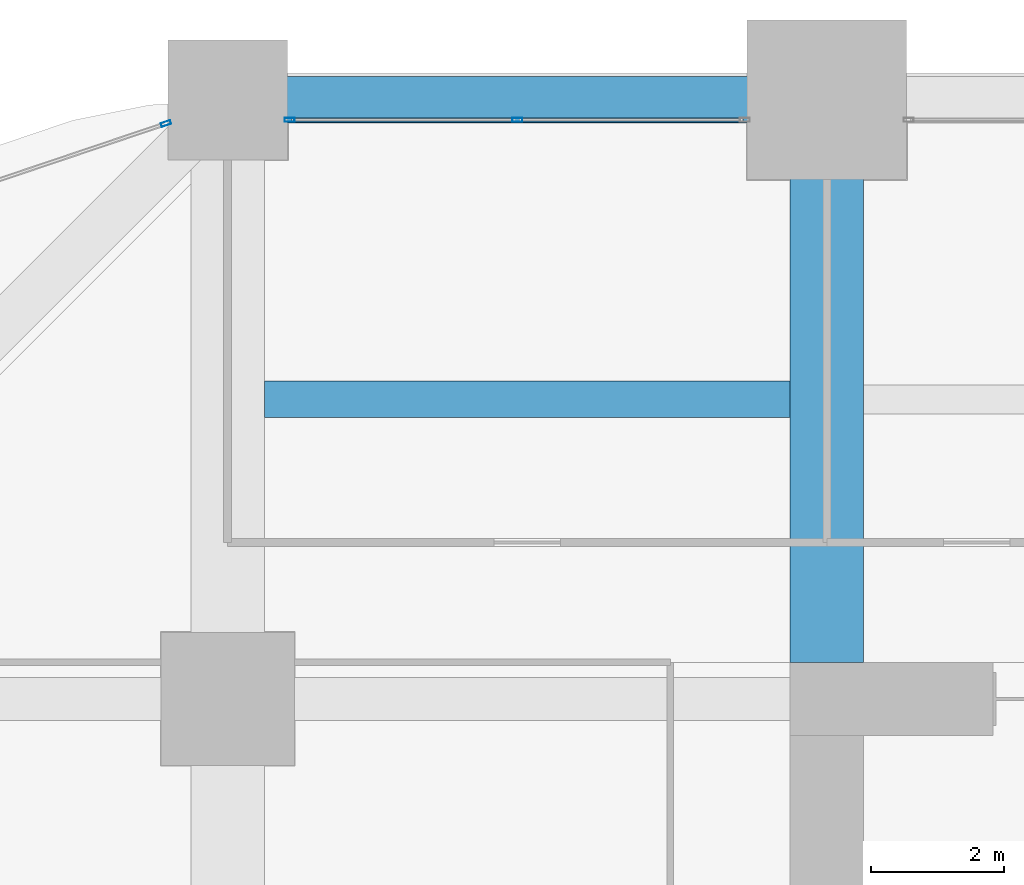
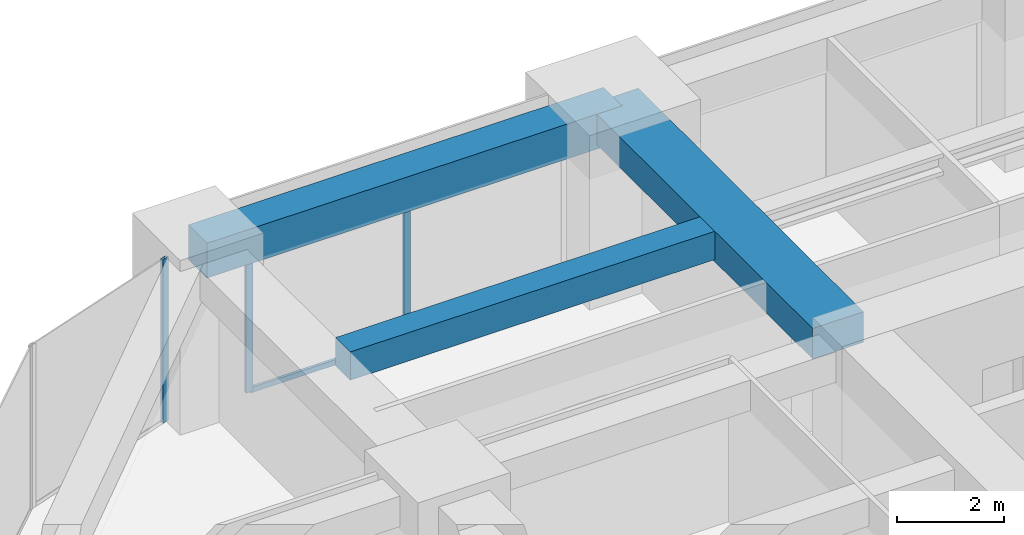
# One storey, part 27 of 41: 4 members, 3 beams, 2 elements without a shape of their own.
"""IFC4 building model written with IfcOpenShell, lengths in metres."""

from ifc_helpers import new_model, si_unit, direction, frame, origin, origin_2d, place, context, subcontext, project, spatial, rectangle, hollow_rectangle, extrude, material, material_profile, profile_set, type_object, element, aggregate, save


model = new_model("IFC4")

# Units and contexts
model_context = context("Model", 3, precision=1e-05, world=origin(), true_north=direction((0.0, 1.0)))
body_context = subcontext(model_context, "Body", "Model", "MODEL_VIEW")
ifc_project = project(units=[si_unit("LENGTHUNIT", "METRE"), si_unit("AREAUNIT", "SQUARE_METRE"), si_unit("VOLUMEUNIT", "CUBIC_METRE"), si_unit("PLANEANGLEUNIT", "RADIAN"), si_unit("MASSUNIT", "GRAM", prefix="KILO")], contexts=[model_context])

# Site, building, storey
site_placement = place(None, origin())
site = spatial("IfcSite", under=ifc_project, at=site_placement, CompositionType="ELEMENT")
building_placement = place(site_placement, origin())
building = spatial("IfcBuilding", under=site, at=building_placement, Name="Zorevar Civic Tower", CompositionType="ELEMENT")
storey_placement = place(building_placement, frame((0.0, 0.0, 101.0)))
storey = spatial("IfcBuildingStorey", under=building, at=storey_placement, Name="L24", CompositionType="ELEMENT", Elevation=101.0)

# Beams
ifc_material_1 = material(Name="Concrete C50/60", Category="concrete")
ifc_material_profile_1 = material_profile(ifc_material_1, rectangle(XDim=1.10009765625, YDim=0.699951171875, at=origin_2d()), Name="RC 1100x700")
ifc_profile_set_1 = profile_set([ifc_material_profile_1], Name="Concrete C50/60")
beam_type_1 = type_object("IfcBeamType", Name="Beam RC 1100x700", PredefinedType="BEAM", material=ifc_profile_set_1)
beam_1_placement = place(storey_placement, frame((18.0, 36.550048828125, 3.39990234375), z_axis=(0.0, 1.0, 0.0), x_axis=(-1.0, 0.0, 0.0)))
element("IfcBeam", 1, at=beam_1_placement, inside=storey, type_object=beam_type_1, Name="Girder L25", PredefinedType="BEAM", context=body_context, shape_type="SweptSolid", body=[
    extrude(rectangle(XDim=1.10009765625, YDim=0.699951171875, at=origin_2d()), origin(), (0.0, 0.0, 1.0), 8.449951171875),
])
ifc_material_2 = material(Name="Concrete C50/60", Category="concrete")
ifc_material_profile_2 = material_profile(ifc_material_2, rectangle(XDim=0.550048828125, YDim=0.64990234375, at=origin_2d()), Name="RC 550x650")
ifc_profile_set_2 = profile_set([ifc_material_profile_2], Name="Concrete C50/60")
beam_type_2 = type_object("IfcBeamType", Name="Beam RC 550x650", PredefinedType="BEAM", material=ifc_profile_set_2)
beam_2_placement = place(storey_placement, frame((9.550048828125, 40.5, 3.425048828125), z_axis=(1.0, 0.0, 0.0), x_axis=(0.0, 1.0, 0.0)))
element("IfcBeam", 2, at=beam_2_placement, inside=storey, type_object=beam_type_2, Name="Secondary beam L25", PredefinedType="BEAM", context=body_context, shape_type="SweptSolid", body=[
    extrude(rectangle(XDim=0.550048828125, YDim=0.64990234375, at=origin_2d()), origin(), (0.0, 0.0, 1.0), 7.89990234375),
])

# Curtain wall, members
ifc_material_3 = material(Name="Dark grey solar-control glass in black aluminium frame", Category="aluminium")
curtain_wall_type = type_object("IfcCurtainWallType", Name="Curtain wall CW3 mid zone", PredefinedType="NOTDEFINED", material=ifc_material_3)
curtain_wall_1_placement = place(storey_placement, origin())
curtain_wall_1 = element("IfcCurtainWall", 3, at=curtain_wall_1_placement, inside=storey, type_object=curtain_wall_type, Name="CW3 L24", PredefinedType="NOTDEFINED")
ifc_material_4 = material(Name="Aluminium, black anodised", Category="aluminium")
ifc_material_profile_3 = material_profile(ifc_material_4, hollow_rectangle(XDim=0.06005859375, YDim=0.14990234375, WallThickness=0.00390625, at=origin_2d()), Name="AL 150x60x4")
ifc_profile_set_3 = profile_set([ifc_material_profile_3], Name="Aluminium, black anodised")
member_type_1 = type_object("IfcMemberType", Name="CW3 mullion AL 150x60x4", PredefinedType="MULLION", material=ifc_profile_set_3)
member_1_placement = place(storey_placement, frame((9.929931640625, 44.699951171875, 0.0), z_axis=(0.0, 0.0, 1.0), x_axis=(0.0, 1.0, 0.0)))
member_1 = element("IfcMember", 4, at=member_1_placement, type_object=member_type_1, Name="CW3 mullion 1", PredefinedType="MULLION", context=body_context, shape_type="SweptSolid", body=[
    extrude(hollow_rectangle(XDim=0.06005859375, YDim=0.14990234375, WallThickness=0.00390625, at=origin_2d()), origin(), (0.0, 0.0, 1.0), 2.949951171875),
])
member_2_placement = place(storey_placement, frame((13.35009765625, 44.699951171875, 0.06005859375), z_axis=(0.0, 0.0, 1.0), x_axis=(0.0, 1.0, 0.0)))
member_2 = element("IfcMember", 5, at=member_2_placement, type_object=member_type_1, Name="CW3 mullion 2", PredefinedType="MULLION", context=body_context, shape_type="SweptSolid", body=[
    extrude(hollow_rectangle(XDim=0.06005859375, YDim=0.14990234375, WallThickness=0.00390625, at=origin_2d()), origin(), (0.0, 0.0, 1.0), 2.889892578125),
])

# Curtain wall, member
curtain_wall_2_placement = place(storey_placement, origin())
curtain_wall_2 = element("IfcCurtainWall", 6, at=curtain_wall_2_placement, inside=storey, type_object=curtain_wall_type, Name="CW3 L24", PredefinedType="NOTDEFINED")
member_3_placement = place(storey_placement, frame((8.071533203125, 44.643798828125, 0.0), z_axis=(0.0, 0.0, 1.0), x_axis=(0.319412525043, -0.947615765406, 0.0)))
member_3 = element("IfcMember", 7, at=member_3_placement, type_object=member_type_1, Name="CW3 mullion 1", PredefinedType="MULLION", context=body_context, shape_type="SweptSolid", body=[
    extrude(hollow_rectangle(XDim=0.06005859375, YDim=0.14990234375, WallThickness=0.00390625, at=origin_2d()), origin(), (0.0, 0.0, 1.0), 3.75),
])
aggregate(curtain_wall_2, [member_3])

# Member
ifc_material_5 = material(Name="Aluminium, black anodised", Category="aluminium")
ifc_material_profile_4 = material_profile(ifc_material_5, hollow_rectangle(XDim=0.06005859375, YDim=0.1201171875, WallThickness=0.0029296875, at=origin_2d()), Name="AL 120x60x3")
ifc_profile_set_4 = profile_set([ifc_material_profile_4], Name="Aluminium, black anodised")
member_type_2 = type_object("IfcMemberType", Name="CW3 transom AL 120x60x3", PredefinedType="USERDEFINED", material=ifc_profile_set_4)
member_4_placement = place(storey_placement, frame((9.9599609375, 44.699951171875, 0.030029296875), z_axis=(1.0, 0.0, 0.0), x_axis=(0.0, 1.0, 0.0)))
member_4 = element("IfcMember", 8, at=member_4_placement, type_object=member_type_2, Name="CW3 sill transom", ObjectType="TRANSOM", PredefinedType="USERDEFINED", context=body_context, shape_type="SweptSolid", body=[
    extrude(hollow_rectangle(XDim=0.06005859375, YDim=0.1201171875, WallThickness=0.0029296875, at=origin_2d()), origin(), (0.0, 0.0, 1.0), 6.780029296875),
])

aggregate(curtain_wall_1, [member_1, member_2, member_4])

# Beam
ifc_material_6 = material(Name="Concrete C50/60", Category="concrete")
ifc_material_profile_5 = material_profile(ifc_material_6, rectangle(XDim=0.699951171875, YDim=0.800048828125, at=origin_2d()), Name="RC 700x800")
ifc_profile_set_5 = profile_set([ifc_material_profile_5], Name="Concrete C50/60")
beam_type_3 = type_object("IfcBeamType", Name="Edge beam RC 700x800", PredefinedType="SPANDREL", material=ifc_profile_set_5)
beam_3_placement = place(storey_placement, frame((9.0, 45.0, 3.35009765625), z_axis=(1.0, 0.0, 0.0), x_axis=(0.0, 1.0, 0.0)))
element("IfcBeam", 9, at=beam_3_placement, inside=storey, type_object=beam_type_3, Name="Edge beam L25", PredefinedType="SPANDREL", context=body_context, shape_type="SweptSolid", body=[
    extrude(rectangle(XDim=0.699951171875, YDim=0.800048828125, at=origin_2d()), origin(), (0.0, 0.0, 1.0), 9.0),
])

save(model, "model.ifc")
